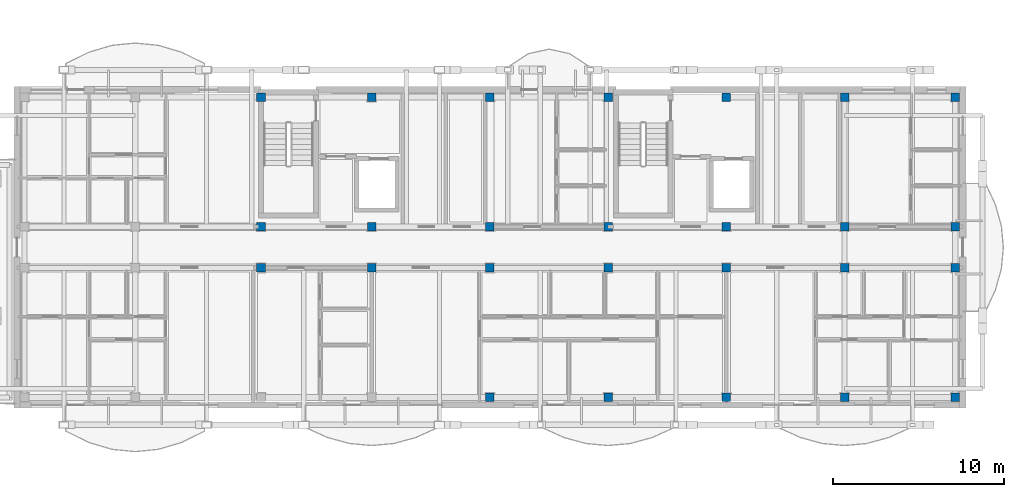
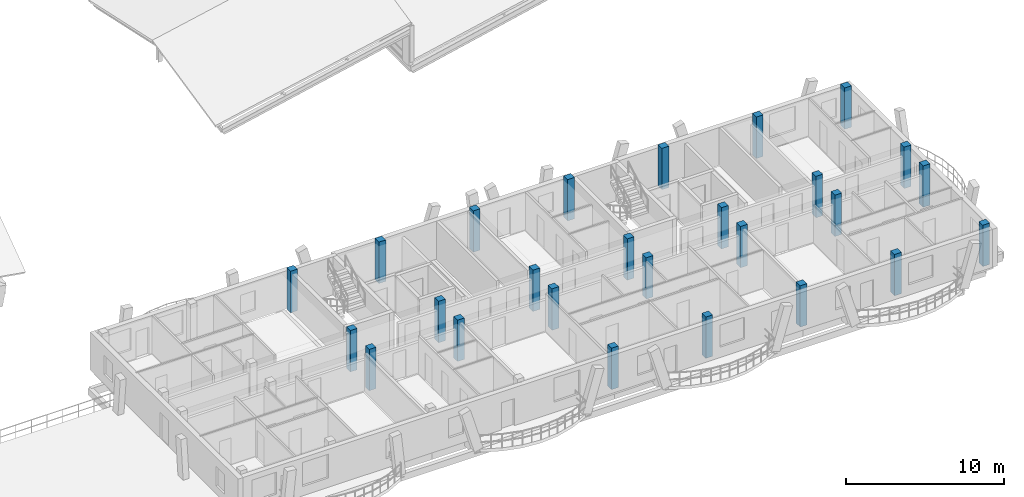
# One storey, part 8 of 109: 26 columns.
"""IFC4 building model written with IfcOpenShell, lengths in metres."""

from ifc_helpers import new_model, si_unit, direction, frame, origin, origin_2d, place, context, subcontext, project, spatial, rectangle, extrude, material, material_profile, profile_set, type_object, element, save


model = new_model("IFC4")

# Units and contexts
model_context = context("Model", 3, precision=1e-05, world=origin(), true_north=direction((0.0, 1.0)))
body_context = subcontext(model_context, "Body", "Model", "MODEL_VIEW")
ifc_project = project(units=[si_unit("LENGTHUNIT", "METRE"), si_unit("AREAUNIT", "SQUARE_METRE"), si_unit("VOLUMEUNIT", "CUBIC_METRE"), si_unit("PLANEANGLEUNIT", "RADIAN"), si_unit("MASSUNIT", "GRAM", prefix="KILO")], contexts=[model_context])

# Site, building, storey
site_placement = place(None, origin())
site = spatial("IfcSite", under=ifc_project, at=site_placement, CompositionType="ELEMENT")
building_placement = place(site_placement, origin())
building = spatial("IfcBuilding", under=site, at=building_placement, Name="Zavelmont Quarter", CompositionType="ELEMENT")
storey_placement = place(building_placement, frame((0.0, 0.0, 8.0)))
storey = spatial("IfcBuildingStorey", under=building, at=storey_placement, Name="L02", CompositionType="ELEMENT", Elevation=8.0)

# Columns
ifc_material = material(Name="Concrete C40/50", Category="concrete")
ifc_material_profile = material_profile(ifc_material, rectangle(XDim=0.5, YDim=0.5, at=origin_2d()), Name="RC500X500")
ifc_profile_set = profile_set([ifc_material_profile], Name="Concrete C40/50")
column_type = type_object("IfcColumnType", Name="CL03", PredefinedType="COLUMN", material=ifc_profile_set)
for number, where, z_axis, x_axis, name in (
    (1, (127.0400390625, 8.0, 0.0), (0.0, 0.0, 1.0), (1.0, 0.0, 0.0), "L02 column CL03 at 19/B"),
    (2, (127.0400390625, 10.39990234375, 0.0), (0.0, 0.0, 1.0), (1.0, 0.0, 0.0), "L02 column CL03 at 19/C"),
    (3, (127.0400390625, 17.9599609375, 0.0), (0.0, 0.0, 1.0), (1.0, 0.0, 0.0), "L02 column CL03 at 19/D"),
    (4, (133.5, 8.0, 0.0), (0.0, 0.0, 1.0), (1.0, 0.0, 0.0), "L02 column CL03 at 20/B"),
    (5, (133.5, 10.39990234375, 0.0), (0.0, 0.0, 1.0), (1.0, 0.0, 0.0), "L02 column CL03 at 20/C"),
    (6, (133.5, 17.9599609375, 0.0), (0.0, 0.0, 1.0), (1.0, 0.0, 0.0), "L02 column CL03 at 20/D"),
    (7, (140.39990234375, 0.43994140625, 0.0), (0.0, 0.0, 1.0), (1.0, 0.0, 0.0), "L02 column CL03 at 21/A"),
    (8, (140.39990234375, 8.0, 0.0), (0.0, 0.0, 1.0), (1.0, 0.0, 0.0), "L02 column CL03 at 21/B"),
    (9, (140.39990234375, 10.39990234375, 0.0), (0.0, 0.0, 1.0), (1.0, 0.0, 0.0), "L02 column CL03 at 21/C"),
    (10, (140.39990234375, 17.9599609375, 0.0), (0.0, 0.0, 1.0), (1.0, 0.0, 0.0), "L02 column CL03 at 21/D"),
    (11, (147.300048828125, 0.43994140625, 0.0), (0.0, 0.0, 1.0), (1.0, 0.0, 0.0), "L02 column CL03 at 22/A"),
    (12, (147.300048828125, 8.0, 0.0), (0.0, 0.0, 1.0), (1.0, 0.0, 0.0), "L02 column CL03 at 22/B"),
    (13, (147.300048828125, 10.39990234375, 0.0), (0.0, 0.0, 1.0), (1.0, 0.0, 0.0), "L02 column CL03 at 22/C"),
    (14, (147.300048828125, 17.9599609375, 0.0), (0.0, 0.0, 1.0), (1.0, 0.0, 0.0), "L02 column CL03 at 22/D"),
    (15, (154.199951171875, 0.43994140625, 0.0), (0.0, 0.0, 1.0), (1.0, 0.0, 0.0), "L02 column CL03 at 23/A"),
    (16, (154.199951171875, 8.0, 0.0), (0.0, 0.0, 1.0), (1.0, 0.0, 0.0), "L02 column CL03 at 23/B"),
    (17, (154.199951171875, 10.39990234375, 0.0), (0.0, 0.0, 1.0), (1.0, 0.0, 0.0), "L02 column CL03 at 23/C"),
    (18, (154.199951171875, 17.9599609375, 0.0), (0.0, 0.0, 1.0), (1.0, 0.0, 0.0), "L02 column CL03 at 23/D"),
    (19, (161.10009765625, 0.43994140625, 0.0), (0.0, 0.0, 1.0), (1.0, 0.0, 0.0), "L02 column CL03 at 24/A"),
    (20, (161.10009765625, 8.0, 0.0), (0.0, 0.0, 1.0), (1.0, 0.0, 0.0), "L02 column CL03 at 24/B"),
    (21, (161.10009765625, 10.39990234375, 0.0), (0.0, 0.0, 1.0), (1.0, 0.0, 0.0), "L02 column CL03 at 24/C"),
    (22, (161.10009765625, 17.9599609375, 0.0), (0.0, 0.0, 1.0), (1.0, 0.0, 0.0), "L02 column CL03 at 24/D"),
    (23, (167.56005859375, 0.43994140625, 0.0), (0.0, 0.0, 1.0), (1.0, 0.0, 0.0), "L02 column CL03 at 25/A"),
    (24, (167.56005859375, 8.0, 0.0), (0.0, 0.0, 1.0), (1.0, 0.0, 0.0), "L02 column CL03 at 25/B"),
    (25, (167.56005859375, 10.39990234375, 0.0), (0.0, 0.0, 1.0), (1.0, 0.0, 0.0), "L02 column CL03 at 25/C"),
    (26, (167.56005859375, 17.9599609375, 0.0), (0.0, 0.0, 1.0), (1.0, 0.0, 0.0), "L02 column CL03 at 25/D"),
):
    element("IfcColumn", number, at=place(storey_placement, frame(where, z_axis=z_axis, x_axis=x_axis)), inside=storey, type_object=column_type, Name=name, PredefinedType="COLUMN", context=body_context, shape_type="SweptSolid", body=[
        extrude(rectangle(XDim=0.5, YDim=0.5, at=origin_2d()), origin(), (0.0, 0.0, 1.0), 3.199951171875),
    ])

save(model, "model.ifc")
